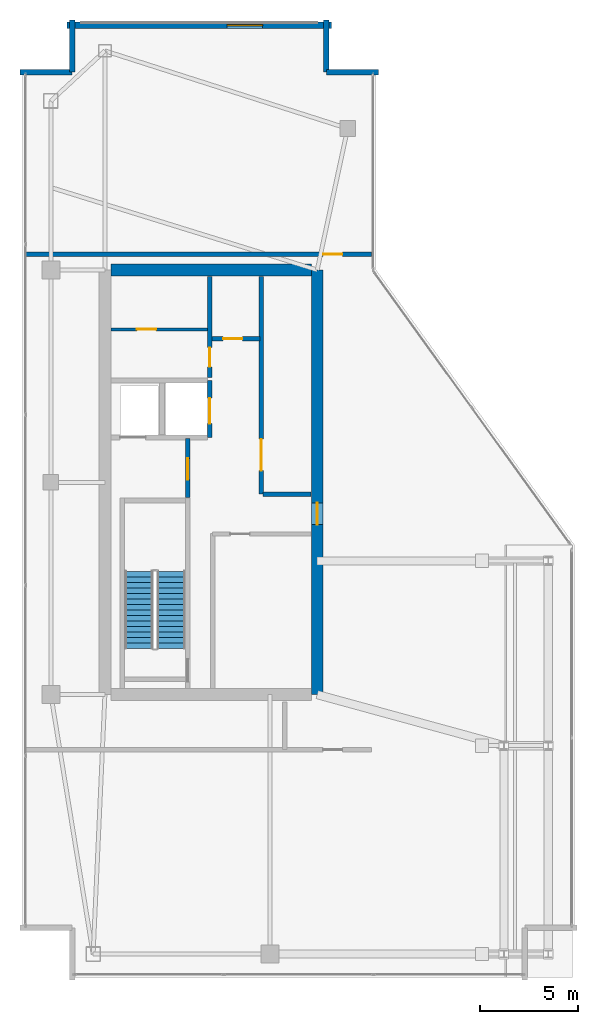
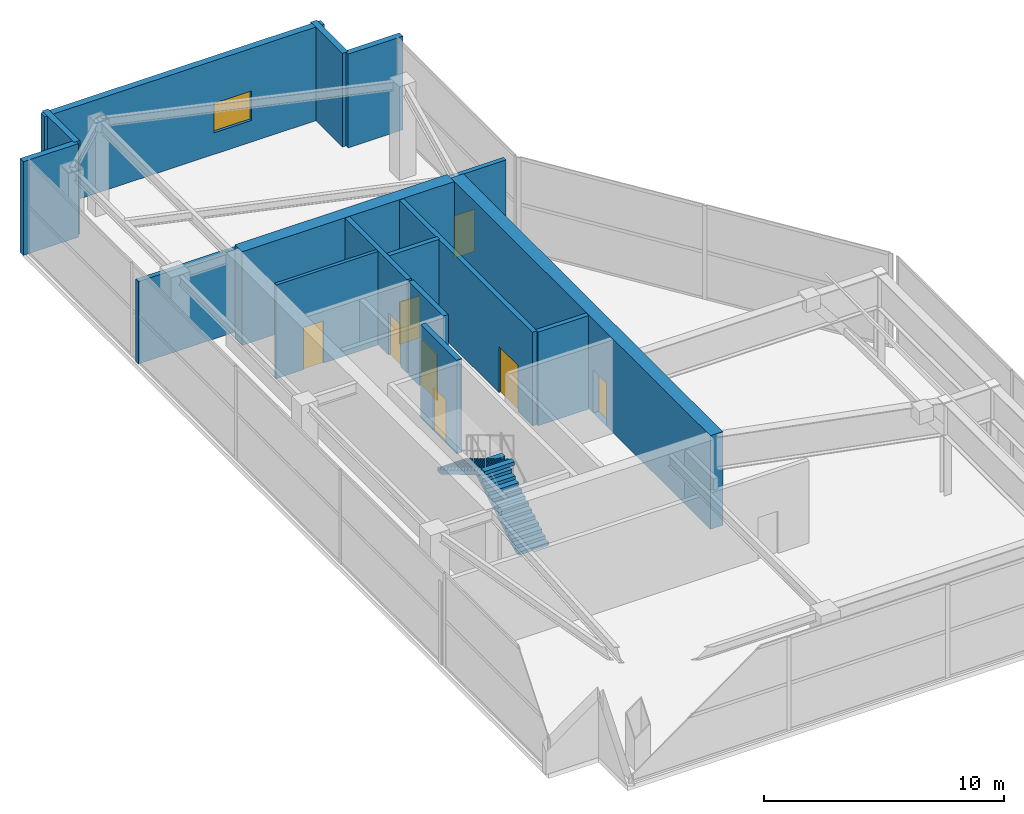
# One storey, part 19 of 21: 15 walls, 8 doors, 2 stair flights, 1 window, 9 openings, 1 element without a shape of its own.
"""IFC4 building model written with IfcOpenShell, lengths in metres."""

from ifc_helpers import new_model, si_unit, direction, frame, frame_2d, origin, place, context, subcontext, project, spatial, polyline, rectangle, outline, extrude, material, layer, layer_set, type_object, element, fill, aggregate, save


model = new_model("IFC4")

# Units and contexts
model_context = context("Model", 3, precision=1e-05, world=origin(), true_north=direction((0.0, 1.0)))
body_context = subcontext(model_context, "Body", "Model", "MODEL_VIEW")
ifc_project = project(units=[si_unit("LENGTHUNIT", "METRE"), si_unit("AREAUNIT", "SQUARE_METRE"), si_unit("VOLUMEUNIT", "CUBIC_METRE"), si_unit("PLANEANGLEUNIT", "RADIAN"), si_unit("MASSUNIT", "GRAM", prefix="KILO")], contexts=[model_context])

# Site, building, storey
site_placement = place(None, origin())
site = spatial("IfcSite", under=ifc_project, at=site_placement, CompositionType="ELEMENT")
building_placement = place(site_placement, origin())
building = spatial("IfcBuilding", under=site, at=building_placement, Name="Calvorn Quay Hotel", CompositionType="ELEMENT")
storey_placement = place(building_placement, frame((0.0, 0.0, 330.5)))
storey = spatial("IfcBuildingStorey", under=building, at=storey_placement, Name="L81", CompositionType="ELEMENT", Elevation=330.5)

# Wall, opening, door
ifc_material_1 = material(Name="Concrete C45", Category="concrete")
ifc_layer_1 = layer(ifc_material_1, 0.60009765625)
ifc_layer_set_1 = layer_set([ifc_layer_1], Name="WL-CORE-600")
wall_type_1 = type_object("IfcWallType", Name="WL-CORE-600", PredefinedType="SHEAR", material=ifc_layer_set_1)
wall_1_placement = place(storey_placement, frame((15.0, 16.800048828125, 0.0), z_axis=(0.0, 0.0, 1.0), x_axis=(0.0, 1.0, 0.0)))
wall_1 = element("IfcWall", 1, at=wall_1_placement, inside=storey, type_object=wall_type_1, Name="West Core Shear Wall E (L81)", PredefinedType="SHEAR", context=body_context, shape_type="SweptSolid", body=[
    extrude(rectangle(XDim=21.599853515625, YDim=0.60009765625, at=frame_2d((10.7998046875, 0.0))), origin(), (0.0, 0.0, 1.0), 4.760009765625),
])
opening_1_placement = place(wall_1_placement, frame((8.64990234375, 0.0, 0.0)))
opening_1 = element("IfcOpeningElement", 2, at=opening_1_placement, cuts=wall_1, Name="Opening D-L81-CW1", PredefinedType="OPENING", context=body_context, shape_type="SweptSolid", body=[
    extrude(rectangle(XDim=1.10009765625, YDim=2.199951171875, at=frame_2d((0.550048828125, 1.10009765625))), frame((0.0, 0.31005859375, 0.0), z_axis=(0.0, -1.0, 0.0), x_axis=(1.0, 0.0, 0.0)), (0.0, 0.0, 1.0), 0.6201171875),
])
ifc_material_2 = material(Name="Smoke-Sealed Steel Class A Fire Door", Category="steel")
door_type_1 = type_object("IfcDoorType", Name="DR-FFLOBBY-1100", OperationType="NOTDEFINED", PredefinedType="DOOR", material=ifc_material_2)
door_1_placement = place(opening_1_placement, origin())
door_1 = element("IfcDoor", 3, at=door_1_placement, inside=storey, type_object=door_type_1, Name="West Core Vestibule Fire Door (L81)", OperationType="SINGLE_SWING_RIGHT", OverallHeight=2.199951171875, OverallWidth=1.10009765625, PredefinedType="DOOR", context=body_context, shape_type="SweptSolid", body=[
    extrude(rectangle(XDim=1.10009765625, YDim=2.199951171875, at=frame_2d((0.550048828125, 1.10009765625))), frame((0.0, 0.02490234375, 0.0), z_axis=(0.0, -1.0, 0.0), x_axis=(1.0, 0.0, 0.0)), (0.0, 0.0, 1.0), 0.050048828125),
])
fill(opening_1, door_1)

# Walls
wall_2_placement = place(storey_placement, frame((4.5, 38.39990234375, 0.0), z_axis=(0.0, 0.0, 1.0), x_axis=(1.0, 0.0, 0.0)))
element("IfcWall", 4, at=wall_2_placement, inside=storey, type_object=wall_type_1, Name="West Core Shear Wall N (L81)", PredefinedType="SHEAR", context=body_context, shape_type="SweptSolid", body=[
    extrude(rectangle(XDim=10.199951171875, YDim=0.60009765625, at=frame_2d((5.10009765625, 0.0))), origin(), (0.0, 0.0, 1.0), 4.760009765625),
])
ifc_material_3 = material(Name="Concrete C40", Category="concrete")
ifc_layer_2 = layer(ifc_material_3, 0.320068359375)
ifc_layer_set_2 = layer_set([ifc_layer_2], Name="WL-EXT-SPANDREL-320")
wall_type_2 = type_object("IfcWallType", Name="WL-EXT-SPANDREL-320", PredefinedType="SOLIDWALL", material=ifc_layer_set_2)
for number, where, z_axis, x_axis, name in (
    (5, (18.1201171875, 48.449951171875, 0.0), (0.0, 0.0, 1.0), (-1.0, 0.0, 0.0), "Crown Notched Corner Spandrel L81-C5"),
    (6, (15.449951171875, 48.47998046875, 0.0), (0.0, 0.0, 1.0), (0.0, 1.0, 0.0), "Crown Notched Corner Spandrel L81-C6"),
):
    element("IfcWall", number, at=place(storey_placement, frame(where, z_axis=z_axis, x_axis=x_axis)), inside=storey, type_object=wall_type_2, Name=name, PredefinedType="SOLIDWALL", context=body_context, shape_type="SweptSolid", body=[
        extrude(rectangle(XDim=2.64013671875, YDim=0.280029296875, at=frame_2d((1.320068359375, 0.0))), origin(), (0.0, 0.0, 1.0), 4.760009765625),
    ])

# Wall, opening, window
wall_3_placement = place(storey_placement, frame((15.719970703125, 50.85009765625, 0.0), z_axis=(0.0, 0.0, 1.0), x_axis=(-1.0, 0.0, 0.0)))
wall_3 = element("IfcWall", 7, at=wall_3_placement, inside=storey, type_object=wall_type_2, Name="Crown North Louvred Plant Wall (L81)", PredefinedType="SOLIDWALL", context=body_context, shape_type="SweptSolid", body=[
    extrude(rectangle(XDim=13.43994140625, YDim=0.320068359375, at=frame_2d((6.719970703125, 0.0))), origin(), (0.0, 0.0, 1.0), 4.760009765625),
])
opening_2_placement = place(wall_3_placement, frame((3.5, 0.0, 1.10009765625)))
opening_2 = element("IfcOpeningElement", 8, at=opening_2_placement, cuts=wall_3, Name="Opening WPL-L81-1", PredefinedType="OPENING", context=body_context, shape_type="SweptSolid", body=[
    extrude(rectangle(XDim=1.800048828125, YDim=1.5, at=frame_2d((0.89990234375, 0.75))), frame((0.0, 0.169921875, 0.0), z_axis=(0.0, -1.0, 0.0), x_axis=(1.0, 0.0, 0.0)), (0.0, 0.0, 1.0), 0.340087890625),
])
ifc_material_4 = material(Name="Acoustic Weatherproof Aluminium Louvre Unit", Category="aluminium")
window_type = type_object("IfcWindowType", Name="WIN-PLANT-LOUVRE-1800x1500", PartitioningType="SINGLE_PANEL", PredefinedType="WINDOW", material=ifc_material_4)
window_placement = place(opening_2_placement, origin())
window = element("IfcWindow", 9, at=window_placement, inside=storey, type_object=window_type, Name="Crown Plant Acoustic Louvre (L81)", OverallHeight=1.5, OverallWidth=1.800048828125, PartitioningType="SINGLE_PANEL", PredefinedType="WINDOW", context=body_context, shape_type="SweptSolid", body=[
    extrude(rectangle(XDim=1.800048828125, YDim=1.5, at=frame_2d((0.89990234375, 0.75))), frame((0.0, 0.030029296875, 0.0), z_axis=(0.0, -1.0, 0.0), x_axis=(1.0, 0.0, 0.0)), (0.0, 0.0, 1.0), 0.06005859375),
])
fill(opening_2, window)

# Walls
for number, where, z_axis, x_axis, name in (
    (10, (2.550048828125, 51.1201171875, 0.0), (0.0, 0.0, 1.0), (0.0, -1.0, 0.0), "Crown Notched Corner Spandrel L81-C7"),
    (11, (2.52001953125, 48.449951171875, 0.0), (0.0, 0.0, 1.0), (-1.0, 0.0, 0.0), "Crown Notched Corner Spandrel L81-C8"),
):
    element("IfcWall", number, at=place(storey_placement, frame(where, z_axis=z_axis, x_axis=x_axis)), inside=storey, type_object=wall_type_2, Name=name, PredefinedType="SOLIDWALL", context=body_context, shape_type="SweptSolid", body=[
        extrude(rectangle(XDim=2.64013671875, YDim=0.280029296875, at=frame_2d((1.320068359375, 0.0))), origin(), (0.0, 0.0, 1.0), 4.760009765625),
    ])

# Wall, opening, door
ifc_material_5 = material(Name="Double-Stud Acoustic Gypsum Partition")
ifc_layer_3 = layer(ifc_material_5, 0.159912109375)
ifc_layer_set_3 = layer_set([ifc_layer_3], Name="WL-INTERSUITE-160")
wall_type_3 = type_object("IfcWallType", Name="WL-INTERSUITE-160", PredefinedType="PARTITIONING", material=ifc_layer_set_3)
wall_4_placement = place(storey_placement, frame((4.52001953125, 35.3798828125, 0.0), z_axis=(0.0, 0.0, 1.0), x_axis=(1.0, 0.0, 0.0)))
wall_4 = element("IfcWall", 12, at=wall_4_placement, inside=storey, type_object=wall_type_3, Name="Partition Wall L81-WL-CWW-K-MID", PredefinedType="PARTITIONING", context=body_context, shape_type="SweptSolid", body=[
    extrude(rectangle(XDim=4.89990234375, YDim=0.159912109375, at=frame_2d((2.449951171875, 0.0))), origin(), (0.0, 0.0, 1.0), 4.760009765625),
])
opening_3_placement = place(wall_4_placement, frame((1.300048828125, 0.0, 0.0)))
opening_3 = element("IfcOpeningElement", 13, at=opening_3_placement, cuts=wall_4, Name="Opening D-L81-CK2", PredefinedType="OPENING", context=body_context, shape_type="SweptSolid", body=[
    extrude(rectangle(XDim=0.97998046875, YDim=2.14990234375, at=frame_2d((0.489990234375, 1.074951171875))), frame((0.0, 0.08984375, 0.0), z_axis=(0.0, -1.0, 0.0), x_axis=(1.0, 0.0, 0.0)), (0.0, 0.0, 1.0), 0.179931640625),
])
ifc_material_6 = material(Name="Painted Steel Housekeeping/Riser Fire Door", Category="steel")
door_type_2 = type_object("IfcDoorType", Name="DR-SERVICE-980", OperationType="NOTDEFINED", PredefinedType="DOOR", material=ifc_material_6)
door_2_placement = place(opening_3_placement, origin())
door_2 = element("IfcDoor", 14, at=door_2_placement, inside=storey, type_object=door_type_2, Name="Electrical Riser Door (L81)", OperationType="SINGLE_SWING_RIGHT", OverallHeight=2.14990234375, OverallWidth=0.97998046875, PredefinedType="DOOR", context=body_context, shape_type="SweptSolid", body=[
    extrude(rectangle(XDim=0.97998046875, YDim=2.14990234375, at=frame_2d((0.489990234375, 1.074951171875))), frame((0.0, 0.02490234375, 0.0), z_axis=(0.0, -1.0, 0.0), x_axis=(1.0, 0.0, 0.0)), (0.0, 0.0, 1.0), 0.050048828125),
])
fill(opening_3, door_2)

ifc_material_7 = material(Name="Autoclaved Aerated Masonry Block", Category="masonry")
ifc_layer_4 = layer(ifc_material_7, 0.219970703125)
ifc_layer_set_4 = layer_set([ifc_layer_4], Name="WL-LOBBY-FIRE-220")
wall_type_4 = type_object("IfcWallType", Name="WL-LOBBY-FIRE-220", PredefinedType="SOLIDWALL", material=ifc_layer_set_4)
wall_5_placement = place(storey_placement, frame((9.5400390625, 32.919921875, 0.0), z_axis=(0.0, 0.0, 1.0), x_axis=(0.0, 1.0, 0.0)))
wall_5 = element("IfcWall", 15, at=wall_5_placement, inside=storey, type_object=wall_type_4, Name="Partition Wall L81-WL-CWW-K-E", PredefinedType="SOLIDWALL", context=body_context, shape_type="SweptSolid", body=[
    extrude(rectangle(XDim=5.16015625, YDim=0.219970703125, at=frame_2d((2.580078125, 0.0))), origin(), (0.0, 0.0, 1.0), 4.760009765625),
])
opening_4_placement = place(wall_5_placement, frame((0.550048828125, 0.0, 0.0)))
opening_4 = element("IfcOpeningElement", 16, at=opening_4_placement, cuts=wall_5, Name="Opening D-L81-CK1", PredefinedType="OPENING", context=body_context, shape_type="SweptSolid", body=[
    extrude(rectangle(XDim=0.97998046875, YDim=2.14990234375, at=frame_2d((0.489990234375, 1.074951171875))), frame((0.0, 0.119873046875, 0.0), z_axis=(0.0, -1.0, 0.0), x_axis=(1.0, 0.0, 0.0)), (0.0, 0.0, 1.0), 0.239990234375),
])
door_3_placement = place(opening_4_placement, origin())
door_3 = element("IfcDoor", 17, at=door_3_placement, inside=storey, type_object=door_type_2, Name="Core Housekeeping Door (L81)", OperationType="SINGLE_SWING_LEFT", OverallHeight=2.14990234375, OverallWidth=0.97998046875, PredefinedType="DOOR", context=body_context, shape_type="SweptSolid", body=[
    extrude(rectangle(XDim=0.97998046875, YDim=2.14990234375, at=frame_2d((0.489990234375, 1.074951171875))), frame((0.0, 0.02490234375, 0.0), z_axis=(0.0, -1.0, 0.0), x_axis=(1.0, 0.0, 0.0)), (0.0, 0.0, 1.0), 0.050048828125),
])
fill(opening_4, door_3)

wall_6_placement = place(storey_placement, frame((12.14990234375, 27.0, 0.0), z_axis=(0.0, 0.0, 1.0), x_axis=(0.0, 1.0, 0.0)))
wall_6 = element("IfcWall", 18, at=wall_6_placement, inside=storey, type_object=wall_type_4, Name="Partition Wall L81-WL-CWW-OV-W", PredefinedType="SOLIDWALL", context=body_context, shape_type="SweptSolid", body=[
    extrude(rectangle(XDim=11.080078125, YDim=0.219970703125, at=frame_2d((5.5400390625, 0.0))), origin(), (0.0, 0.0, 1.0), 4.760009765625),
])
opening_5_placement = place(wall_6_placement, frame((1.199951171875, 0.0, 0.0)))
opening_5 = element("IfcOpeningElement", 19, at=opening_5_placement, cuts=wall_6, Name="Opening D-L81-OV1", PredefinedType="OPENING", context=body_context, shape_type="SweptSolid", body=[
    extrude(rectangle(XDim=1.60009765625, YDim=2.35009765625, at=frame_2d((0.800048828125, 1.175048828125))), frame((0.0, 0.119873046875, 0.0), z_axis=(0.0, -1.0, 0.0), x_axis=(1.0, 0.0, 0.0)), (0.0, 0.0, 1.0), 0.239990234375),
])
ifc_material_8 = material(Name="Heavy-Duty Steel Acoustic Plant Fire Door", Category="steel")
door_type_3 = type_object("IfcDoorType", Name="DR-PLANT-DBL-1600", OperationType="NOTDEFINED", PredefinedType="DOOR", material=ifc_material_8)
door_4_placement = place(opening_5_placement, origin())
door_4 = element("IfcDoor", 20, at=door_4_placement, inside=storey, type_object=door_type_3, Name="Lift Machine Plant Door (L81)", OperationType="SINGLE_SWING_LEFT", OverallHeight=2.35009765625, OverallWidth=1.60009765625, PredefinedType="DOOR", context=body_context, shape_type="SweptSolid", body=[
    extrude(rectangle(XDim=1.60009765625, YDim=2.35009765625, at=frame_2d((0.800048828125, 1.175048828125))), frame((0.0, 0.02490234375, 0.0), z_axis=(0.0, -1.0, 0.0), x_axis=(1.0, 0.0, 0.0)), (0.0, 0.0, 1.0), 0.050048828125),
])
fill(opening_5, door_4)

# Wall
wall_7_placement = place(storey_placement, frame((12.25, 27.0, 0.0), z_axis=(0.0, 0.0, 1.0), x_axis=(1.0, 0.0, 0.0)))
element("IfcWall", 21, at=wall_7_placement, inside=storey, type_object=wall_type_4, Name="Partition Wall L81-WL-CWW-OV-S", PredefinedType="SOLIDWALL", context=body_context, shape_type="SweptSolid", body=[
    extrude(rectangle(XDim=2.429931640625, YDim=0.219970703125, at=frame_2d((1.21484375, 0.0))), origin(), (0.0, 0.0, 1.0), 4.760009765625),
])

# Wall, opening, door
wall_8_placement = place(storey_placement, frame((9.659912109375, 34.89990234375, 0.0), z_axis=(0.0, 0.0, 1.0), x_axis=(1.0, 0.0, 0.0)))
wall_8 = element("IfcWall", 22, at=wall_8_placement, inside=storey, type_object=wall_type_4, Name="Partition Wall L81-WL-CWW-OV-H2S", PredefinedType="SOLIDWALL", context=body_context, shape_type="SweptSolid", body=[
    extrude(rectangle(XDim=2.420166015625, YDim=0.219970703125, at=frame_2d((1.2099609375, 0.0))), origin(), (0.0, 0.0, 1.0), 4.760009765625),
])
opening_6_placement = place(wall_8_placement, frame((0.550048828125, 0.0, 0.0)))
opening_6 = element("IfcOpeningElement", 23, at=opening_6_placement, cuts=wall_8, Name="Opening D-L81-OV2", PredefinedType="OPENING", context=body_context, shape_type="SweptSolid", body=[
    extrude(rectangle(XDim=0.97998046875, YDim=2.14990234375, at=frame_2d((0.489990234375, 1.074951171875))), frame((0.0, 0.119873046875, 0.0), z_axis=(0.0, -1.0, 0.0), x_axis=(1.0, 0.0, 0.0)), (0.0, 0.0, 1.0), 0.239990234375),
])
door_5_placement = place(opening_6_placement, origin())
door_5 = element("IfcDoor", 24, at=door_5_placement, inside=storey, type_object=door_type_2, Name="Pressurization Closet Door (L81)", OperationType="SINGLE_SWING_RIGHT", OverallHeight=2.14990234375, OverallWidth=0.97998046875, PredefinedType="DOOR", context=body_context, shape_type="SweptSolid", body=[
    extrude(rectangle(XDim=0.97998046875, YDim=2.14990234375, at=frame_2d((0.489990234375, 1.074951171875))), frame((0.0, 0.02490234375, 0.0), z_axis=(0.0, -1.0, 0.0), x_axis=(1.0, 0.0, 0.0)), (0.0, 0.0, 1.0), 0.050048828125),
])
fill(opening_6, door_5)

wall_9_placement = place(storey_placement, frame((0.080078125, 39.199951171875, 0.0), z_axis=(0.0, 0.0, 1.0), x_axis=(1.0, 0.0, 0.0)))
wall_9 = element("IfcWall", 25, at=wall_9_placement, inside=storey, type_object=wall_type_4, Name="Partition Wall L81-WL-CR-N", PredefinedType="SOLIDWALL", context=body_context, shape_type="SweptSolid", body=[
    extrude(rectangle(XDim=17.669921875, YDim=0.219970703125, at=frame_2d((8.8349609375, 0.0))), origin(), (0.0, 0.0, 1.0), 4.18994140625),
])
opening_7_placement = place(wall_9_placement, frame((15.219970703125, 0.0, 0.0)))
opening_7 = element("IfcOpeningElement", 26, at=opening_7_placement, cuts=wall_9, Name="Opening D-L81-C2", PredefinedType="OPENING", context=body_context, shape_type="SweptSolid", body=[
    extrude(rectangle(XDim=0.97998046875, YDim=2.14990234375, at=frame_2d((0.489990234375, 1.074951171875))), frame((0.0, 0.119873046875, 0.0), z_axis=(0.0, -1.0, 0.0), x_axis=(1.0, 0.0, 0.0)), (0.0, 0.0, 1.0), 0.239990234375),
])
door_6_placement = place(opening_7_placement, origin())
door_6 = element("IfcDoor", 27, at=door_6_placement, inside=storey, type_object=door_type_2, Name="Pressurization Plant Room Door", OperationType="SINGLE_SWING_RIGHT", OverallHeight=2.14990234375, OverallWidth=0.97998046875, PredefinedType="DOOR", context=body_context, shape_type="SweptSolid", body=[
    extrude(rectangle(XDim=0.97998046875, YDim=2.14990234375, at=frame_2d((0.489990234375, 1.074951171875))), frame((0.0, 0.02490234375, 0.0), z_axis=(0.0, -1.0, 0.0), x_axis=(1.0, 0.0, 0.0)), (0.0, 0.0, 1.0), 0.050048828125),
])
fill(opening_7, door_6)

ifc_material_9 = material(Name="Concrete C40", Category="concrete")
ifc_layer_5 = layer(ifc_material_9, 0.239990234375)
ifc_layer_set_5 = layer_set([ifc_layer_5], Name="WL-SHAFT-240")
wall_type_5 = type_object("IfcWallType", Name="WL-SHAFT-240", PredefinedType="SOLIDWALL", material=ifc_layer_set_5)
wall_10_placement = place(storey_placement, frame((8.419921875, 26.820068359375, 0.0), z_axis=(0.0, 0.0, 1.0), x_axis=(0.0, 1.0, 0.0)))
wall_10 = element("IfcWall", 28, at=wall_10_placement, inside=storey, type_object=wall_type_5, Name="Partition Wall L81-WL-CWW-FFL-E", PredefinedType="SOLIDWALL", context=body_context, shape_type="SweptSolid", body=[
    extrude(rectangle(XDim=3.0, YDim=0.239990234375, at=frame_2d((1.5, 0.0))), origin(), (0.0, 0.0, 1.0), 4.760009765625),
])
opening_8_placement = place(wall_10_placement, frame((0.89990234375, 0.0, 0.0)))
opening_8 = element("IfcOpeningElement", 29, at=opening_8_placement, cuts=wall_10, Name="Opening D-L81-FLW", PredefinedType="OPENING", context=body_context, shape_type="SweptSolid", body=[
    extrude(rectangle(XDim=1.10009765625, YDim=2.199951171875, at=frame_2d((0.550048828125, 1.10009765625))), frame((0.0, 0.1298828125, 0.0), z_axis=(0.0, -1.0, 0.0), x_axis=(1.0, 0.0, 0.0)), (0.0, 0.0, 1.0), 0.260009765625),
])
door_7_placement = place(opening_8_placement, origin())
door_7 = element("IfcDoor", 30, at=door_7_placement, inside=storey, type_object=door_type_1, Name="West Firefighting Lobby Fire Door (L81)", OperationType="SINGLE_SWING_RIGHT", OverallHeight=2.199951171875, OverallWidth=1.10009765625, PredefinedType="DOOR", context=body_context, shape_type="SweptSolid", body=[
    extrude(rectangle(XDim=1.10009765625, YDim=2.199951171875, at=frame_2d((0.550048828125, 1.10009765625))), frame((0.0, 0.02490234375, 0.0), z_axis=(0.0, -1.0, 0.0), x_axis=(1.0, 0.0, 0.0)), (0.0, 0.0, 1.0), 0.050048828125),
])
fill(opening_8, door_7)

wall_11_placement = place(storey_placement, frame((9.5400390625, 29.8798828125, 0.0), z_axis=(0.0, 0.0, 1.0), x_axis=(0.0, 1.0, 0.0)))
wall_11 = element("IfcWall", 31, at=wall_11_placement, inside=storey, type_object=wall_type_5, Name="Partition Wall L81-WL-CWW-SLW-E", PredefinedType="SOLIDWALL", context=body_context, shape_type="SweptSolid", body=[
    extrude(rectangle(XDim=2.900146484375, YDim=0.239990234375, at=frame_2d((1.4501953125, 0.0))), origin(), (0.0, 0.0, 1.0), 4.760009765625),
])
opening_9_placement = place(wall_11_placement, frame((0.699951171875, 0.0, 0.0)))
opening_9 = element("IfcOpeningElement", 32, at=opening_9_placement, cuts=wall_11, Name="Opening LD-L81-SLW1", PredefinedType="OPENING", context=body_context, shape_type="SweptSolid", body=[
    extrude(rectangle(XDim=1.300048828125, YDim=2.35009765625, at=frame_2d((0.64990234375, 1.175048828125))), frame((0.0, 0.1298828125, 0.0), z_axis=(0.0, -1.0, 0.0), x_axis=(1.0, 0.0, 0.0)), (0.0, 0.0, 1.0), 0.260009765625),
])
ifc_material_10 = material(Name="Champagne-Bronze Sliding Express Lift Landing Door")
door_type_4 = type_object("IfcDoorType", Name="DR-LIFT-SHUTTLE-1300", OperationType="NOTDEFINED", PredefinedType="DOOR", material=ifc_material_10)
door_8_placement = place(opening_9_placement, origin())
door_8 = element("IfcDoor", 33, at=door_8_placement, inside=storey, type_object=door_type_4, Name="Service Lift SL-W1 Landing Door (L81)", OperationType="DOUBLE_DOOR_SLIDING", OverallHeight=2.35009765625, OverallWidth=1.300048828125, PredefinedType="DOOR", context=body_context, shape_type="SweptSolid", body=[
    extrude(rectangle(XDim=1.300048828125, YDim=2.35009765625, at=frame_2d((0.64990234375, 1.175048828125))), frame((0.0, 0.02490234375, 0.0), z_axis=(0.0, -1.0, 0.0), x_axis=(1.0, 0.0, 0.0)), (0.0, 0.0, 1.0), 0.050048828125),
])
fill(opening_9, door_8)

# Stair, stair flights
ifc_material_11 = material(Name="Concrete C40", Category="concrete")
stair_type = type_object("IfcStairType", Name="STR-CORE-DOGLEG", PredefinedType="HALF_TURN_STAIR", material=ifc_material_11)
stair_placement = place(storey_placement, origin())
stair = element("IfcStair", 34, at=stair_placement, inside=storey, type_object=stair_type, Name="L81 ST-W", PredefinedType="HALF_TURN_STAIR")
ifc_material_12 = material(Name="Concrete C40", Category="concrete")
stair_flight_type = type_object("IfcStairFlightType", Name="FLT-CORE-1550", PredefinedType="STRAIGHT", material=ifc_material_12)
stair_flight_1_placement = place(storey_placement, frame((7.574951171875, 19.14990234375, 0.0), z_axis=(0.0, 0.0, 1.0), x_axis=(0.0, 1.0, 0.0)))
stair_flight_1 = element("IfcStairFlight", 35, at=stair_flight_1_placement, type_object=stair_flight_type, Name="ST-W flight 1", NumberOfRisers=15, NumberOfTreads=14, PredefinedType="STRAIGHT", RiserHeight=0.166666667, TreadLength=0.28, context=body_context, shape_type="SweptSolid", body=[
    extrude(outline(polyline([(0.0, 0.0), (0.0, 0.166748046875), (0.280029296875, 0.166748046875), (0.280029296875, 0.333251953125), (0.56005859375, 0.333251953125), (0.56005859375, 0.5), (0.840087890625, 0.5), (0.840087890625, 0.666748046875), (1.1201171875, 0.666748046875), (1.1201171875, 0.833251953125), (1.39990234375, 0.833251953125), (1.39990234375, 1.0), (1.679931640625, 1.0), (1.679931640625, 1.166748046875), (1.9599609375, 1.166748046875), (1.9599609375, 1.333251953125), (2.239990234375, 1.333251953125), (2.239990234375, 1.5), (2.52001953125, 1.5), (2.52001953125, 1.666748046875), (2.800048828125, 1.666748046875), (2.800048828125, 1.833251953125), (3.080078125, 1.833251953125), (3.080078125, 2.0), (3.360107421875, 2.0), (3.360107421875, 2.166748046875), (3.639892578125, 2.166748046875), (3.639892578125, 2.333251953125), (3.919921875, 2.333251953125), (3.919921875, 2.5), (3.919921875, 2.158935546875), (0.29296875, 0.0), (0.0, 0.0)])), frame((0.0, 0.72509765625, 0.0), z_axis=(0.0, -1.0, 0.0), x_axis=(1.0, 0.0, 0.0)), (0.0, 0.0, 1.0), 1.449951171875),
])
stair_flight_2_placement = place(storey_placement, frame((5.925048828125, 23.070068359375, 2.5), z_axis=(0.0, 0.0, 1.0), x_axis=(0.0, -1.0, 0.0)))
stair_flight_2 = element("IfcStairFlight", 36, at=stair_flight_2_placement, type_object=stair_flight_type, Name="ST-W flight 2", NumberOfRisers=15, NumberOfTreads=14, PredefinedType="STRAIGHT", RiserHeight=0.166666667, TreadLength=0.28, context=body_context, shape_type="SweptSolid", body=[
    extrude(outline(polyline([(0.0, 0.0), (0.0, 0.166748046875), (0.280029296875, 0.166748046875), (0.280029296875, 0.333251953125), (0.56005859375, 0.333251953125), (0.56005859375, 0.5), (0.840087890625, 0.5), (0.840087890625, 0.666748046875), (1.1201171875, 0.666748046875), (1.1201171875, 0.833251953125), (1.39990234375, 0.833251953125), (1.39990234375, 1.0), (1.679931640625, 1.0), (1.679931640625, 1.166748046875), (1.9599609375, 1.166748046875), (1.9599609375, 1.333251953125), (2.239990234375, 1.333251953125), (2.239990234375, 1.5), (2.52001953125, 1.5), (2.52001953125, 1.666748046875), (2.800048828125, 1.666748046875), (2.800048828125, 1.833251953125), (3.080078125, 1.833251953125), (3.080078125, 2.0), (3.360107421875, 2.0), (3.360107421875, 2.166748046875), (3.639892578125, 2.166748046875), (3.639892578125, 2.333251953125), (3.919921875, 2.333251953125), (3.919921875, 2.5), (3.919921875, 2.158935546875), (0.29296875, 0.0), (0.0, 0.0)])), frame((0.0, 0.72509765625, 0.0), z_axis=(0.0, -1.0, 0.0), x_axis=(1.0, 0.0, 0.0)), (0.0, 0.0, 1.0), 1.449951171875),
])
aggregate(stair, [stair_flight_1, stair_flight_2])

save(model, "model.ifc")
